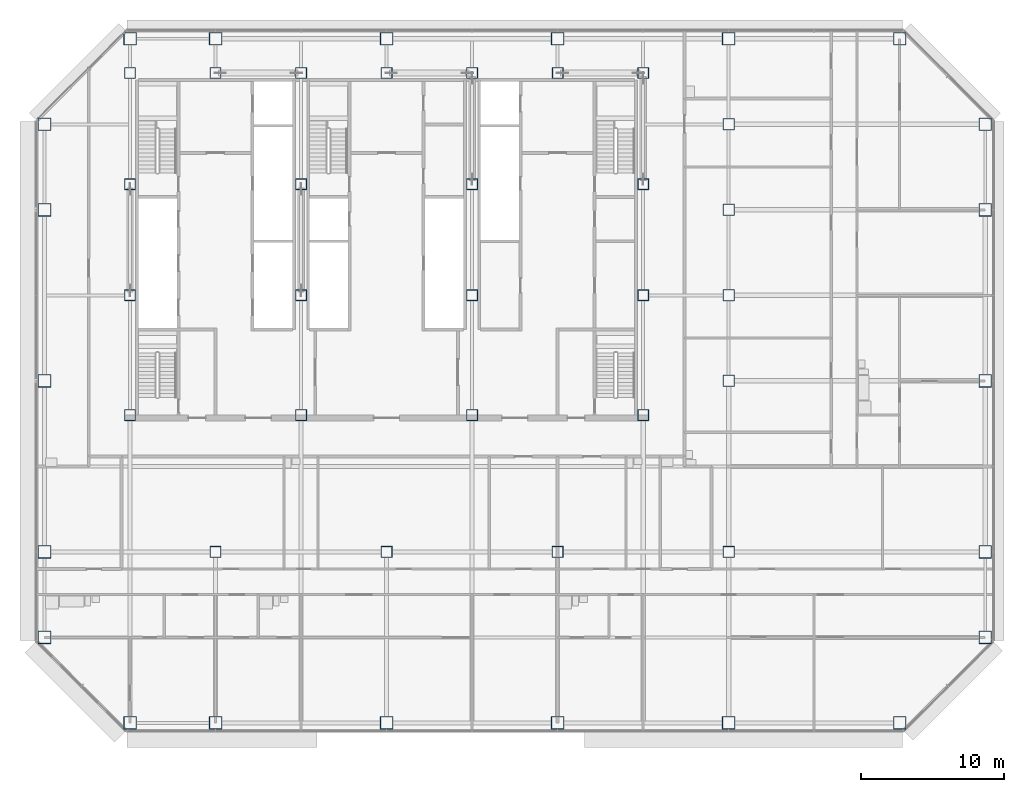
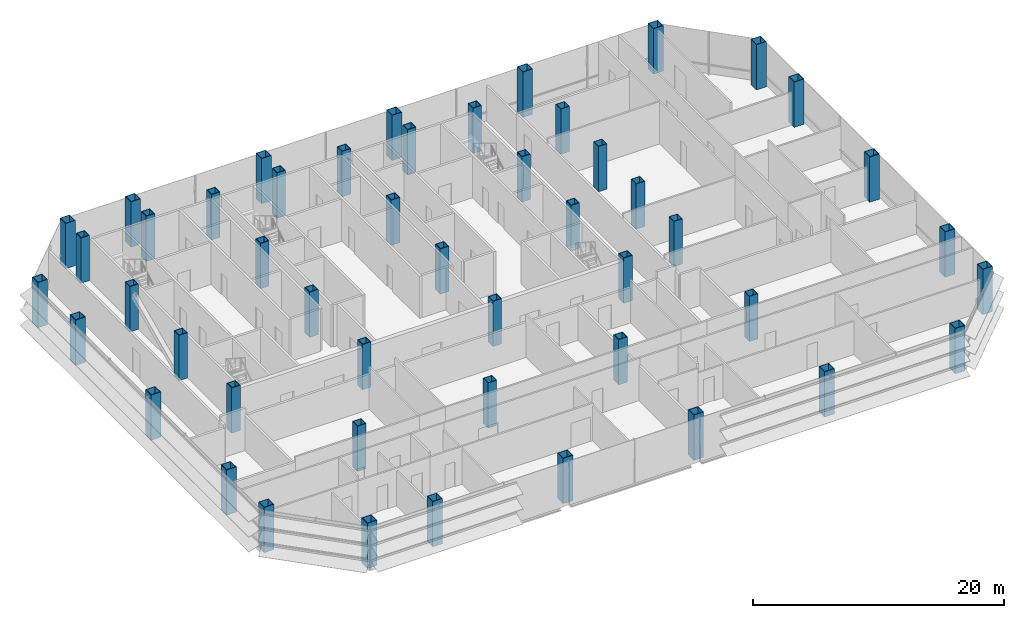
# One storey, part 1 of 27: 49 columns.
"""IFC4 building model written with IfcOpenShell, lengths in metres."""

from ifc_helpers import new_model, si_unit, direction, frame, origin, origin_2d, place, context, subcontext, project, spatial, hollow_rectangle, extrude, material, material_profile, profile_set, type_object, element, save


model = new_model("IFC4")

# Units and contexts
model_context = context("Model", 3, precision=1e-05, world=origin(), true_north=direction((0.0, 1.0)))
body_context = subcontext(model_context, "Body", "Model", "MODEL_VIEW")
ifc_project = project(units=[si_unit("LENGTHUNIT", "METRE"), si_unit("AREAUNIT", "SQUARE_METRE"), si_unit("VOLUMEUNIT", "CUBIC_METRE"), si_unit("PLANEANGLEUNIT", "RADIAN"), si_unit("MASSUNIT", "GRAM", prefix="KILO")], contexts=[model_context])

# Site, building, storey
site_placement = place(None, origin())
site = spatial("IfcSite", under=ifc_project, at=site_placement, CompositionType="ELEMENT")
building_placement = place(site_placement, origin())
building = spatial("IfcBuilding", under=site, at=building_placement, Name="Sorahane Residences", CompositionType="ELEMENT")
storey_placement = place(building_placement, frame((0.0, 0.0, 85.800048828125)))
storey = spatial("IfcBuildingStorey", under=building, at=storey_placement, Name="L18", CompositionType="ELEMENT", Elevation=85.800048828125)

# Columns
ifc_material_1 = material(Name="Steel Q355B", Category="steel")
ifc_material_profile_1 = material_profile(ifc_material_1, hollow_rectangle(XDim=0.800048828125, YDim=0.800048828125, WallThickness=0.0400390625, at=origin_2d()), Name="BOX 800x800x40")
ifc_profile_set_1 = profile_set([ifc_material_profile_1], Name="Steel Q355B")
column_type_1 = type_object("IfcColumnType", Name="Steel box column BOX 800x800x40 Q355B", PredefinedType="COLUMN", material=ifc_profile_set_1)
for number, where, z_axis, x_axis, name in (
    (1, (12.0, 12.0, 0.0), (0.0, 0.0, 1.0), (1.0, 0.0, 0.0), "Column L18 12/12"),
    (2, (24.0, 12.0, 0.0), (0.0, 0.0, 1.0), (1.0, 0.0, 0.0), "Column L18 24/12"),
    (3, (36.0, 12.0, 0.0), (0.0, 0.0, 1.0), (1.0, 0.0, 0.0), "Column L18 36/12"),
    (4, (48.0, 12.0, 0.0), (0.0, 0.0, 1.0), (1.0, 0.0, 0.0), "Column L18 48/12"),
    (5, (48.0, 24.0, 0.0), (0.0, 0.0, 1.0), (1.0, 0.0, 0.0), "Column L18 48/24"),
    (6, (48.0, 30.0, 0.0), (0.0, 0.0, 1.0), (1.0, 0.0, 0.0), "Column L18 48/30"),
    (7, (48.0, 36.0, 0.0), (0.0, 0.0, 1.0), (1.0, 0.0, 0.0), "Column L18 48/36"),
    (8, (48.0, 42.0, 0.0), (0.0, 0.0, 1.0), (1.0, 0.0, 0.0), "Column L18 48/42"),
):
    element("IfcColumn", number, at=place(storey_placement, frame(where, z_axis=z_axis, x_axis=x_axis)), inside=storey, type_object=column_type_1, Name=name, PredefinedType="COLUMN", context=body_context, shape_type="SweptSolid", body=[
        extrude(hollow_rectangle(XDim=0.800048828125, YDim=0.800048828125, WallThickness=0.0400390625, at=origin_2d()), origin(), (0.0, 0.0, 1.0), 4.39990234375),
    ])
ifc_material_2 = material(Name="Steel Q420GJ", Category="steel")
ifc_material_profile_2 = material_profile(ifc_material_2, hollow_rectangle(XDim=0.800048828125, YDim=0.800048828125, WallThickness=0.06005859375, at=origin_2d()), Name="BOX 800x800x60")
ifc_profile_set_2 = profile_set([ifc_material_profile_2], Name="Steel Q420GJ")
column_type_2 = type_object("IfcColumnType", Name="Steel box column BOX 800x800x60 Q420GJ", PredefinedType="COLUMN", material=ifc_profile_set_2)
for number, where, z_axis, x_axis, name in (
    (9, (6.0, 21.60009765625, 0.0), (0.0, 0.0, 1.0), (1.0, 0.0, 0.0), "Column L18 6/21.6"),
    (10, (6.0, 30.0, 0.0), (0.0, 0.0, 1.0), (1.0, 0.0, 0.0), "Column L18 6/30"),
    (11, (6.0, 37.800048828125, 0.0), (0.0, 0.0, 1.0), (1.0, 0.0, 0.0), "Column L18 6/37.8"),
    (12, (6.0, 45.60009765625, 0.0), (0.0, 0.0, 1.0), (1.0, 0.0, 0.0), "Column L18 6/45.6"),
    (13, (12.0, 45.60009765625, 0.0), (0.0, 0.0, 1.0), (1.0, 0.0, 0.0), "Column L18 12/45.6"),
    (14, (18.0, 21.60009765625, 0.0), (0.0, 0.0, 1.0), (1.0, 0.0, 0.0), "Column L18 18/21.6"),
    (15, (18.0, 30.0, 0.0), (0.0, 0.0, 1.0), (1.0, 0.0, 0.0), "Column L18 18/30"),
    (16, (18.0, 37.800048828125, 0.0), (0.0, 0.0, 1.0), (1.0, 0.0, 0.0), "Column L18 18/37.8"),
    (17, (18.0, 45.60009765625, 0.0), (0.0, 0.0, 1.0), (1.0, 0.0, 0.0), "Column L18 18/45.6"),
    (18, (24.0, 45.60009765625, 0.0), (0.0, 0.0, 1.0), (1.0, 0.0, 0.0), "Column L18 24/45.6"),
    (19, (30.0, 21.60009765625, 0.0), (0.0, 0.0, 1.0), (1.0, 0.0, 0.0), "Column L18 30/21.6"),
    (20, (30.0, 30.0, 0.0), (0.0, 0.0, 1.0), (1.0, 0.0, 0.0), "Column L18 30/30"),
    (21, (30.0, 37.800048828125, 0.0), (0.0, 0.0, 1.0), (1.0, 0.0, 0.0), "Column L18 30/37.8"),
    (22, (30.0, 45.60009765625, 0.0), (0.0, 0.0, 1.0), (1.0, 0.0, 0.0), "Column L18 30/45.6"),
    (23, (36.0, 45.60009765625, 0.0), (0.0, 0.0, 1.0), (1.0, 0.0, 0.0), "Column L18 36/45.6"),
    (24, (42.0, 21.60009765625, 0.0), (0.0, 0.0, 1.0), (1.0, 0.0, 0.0), "Column L18 42/21.6"),
    (25, (42.0, 30.0, 0.0), (0.0, 0.0, 1.0), (1.0, 0.0, 0.0), "Column L18 42/30"),
    (26, (42.0, 37.800048828125, 0.0), (0.0, 0.0, 1.0), (1.0, 0.0, 0.0), "Column L18 42/37.8"),
    (27, (42.0, 45.60009765625, 0.0), (0.0, 0.0, 1.0), (1.0, 0.0, 0.0), "Column L18 42/45.6"),
):
    element("IfcColumn", number, at=place(storey_placement, frame(where, z_axis=z_axis, x_axis=x_axis)), inside=storey, type_object=column_type_2, Name=name, PredefinedType="COLUMN", context=body_context, shape_type="SweptSolid", body=[
        extrude(hollow_rectangle(XDim=0.800048828125, YDim=0.800048828125, WallThickness=0.06005859375, at=origin_2d()), origin(), (0.0, 0.0, 1.0), 4.39990234375),
    ])
ifc_material_3 = material(Name="Steel Q420GJ", Category="steel")
ifc_material_profile_3 = material_profile(ifc_material_3, hollow_rectangle(XDim=0.89990234375, YDim=0.89990234375, WallThickness=0.044921875, at=origin_2d()), Name="BOX 900x900x45")
ifc_profile_set_3 = profile_set([ifc_material_profile_3], Name="Steel Q420GJ")
column_type_3 = type_object("IfcColumnType", Name="Steel box column BOX 900x900x45 Q420GJ", PredefinedType="COLUMN", material=ifc_profile_set_3)
for number, where, z_axis, x_axis, name in (
    (28, (0.0, 6.0, 0.0), (0.0, 0.0, 1.0), (1.0, 0.0, 0.0), "Column L18 m0/6"),
    (29, (0.0, 12.0, 0.0), (0.0, 0.0, 1.0), (1.0, 0.0, 0.0), "Column L18 m0/12"),
    (30, (0.0, 24.0, 0.0), (0.0, 0.0, 1.0), (1.0, 0.0, 0.0), "Column L18 m0/24"),
    (31, (0.0, 36.0, 0.0), (0.0, 0.0, 1.0), (1.0, 0.0, 0.0), "Column L18 m0/36"),
    (32, (0.0, 42.0, 0.0), (0.0, 0.0, 1.0), (1.0, 0.0, 0.0), "Column L18 m0/42"),
    (33, (6.0, 0.0, 0.0), (0.0, 0.0, 1.0), (1.0, 0.0, 0.0), "Column L18 6/0"),
    (34, (6.0, 48.0, 0.0), (0.0, 0.0, 1.0), (1.0, 0.0, 0.0), "Column L18 6/48"),
    (35, (12.0, 0.0, 0.0), (0.0, 0.0, 1.0), (1.0, 0.0, 0.0), "Column L18 12/0"),
    (36, (12.0, 48.0, 0.0), (0.0, 0.0, 1.0), (1.0, 0.0, 0.0), "Column L18 12/48"),
    (37, (24.0, 0.0, 0.0), (0.0, 0.0, 1.0), (1.0, 0.0, 0.0), "Column L18 24/0"),
    (38, (24.0, 48.0, 0.0), (0.0, 0.0, 1.0), (1.0, 0.0, 0.0), "Column L18 24/48"),
    (39, (36.0, 0.0, 0.0), (0.0, 0.0, 1.0), (1.0, 0.0, 0.0), "Column L18 36/0"),
    (40, (36.0, 48.0, 0.0), (0.0, 0.0, 1.0), (1.0, 0.0, 0.0), "Column L18 36/48"),
    (41, (48.0, 0.0, 0.0), (0.0, 0.0, 1.0), (1.0, 0.0, 0.0), "Column L18 48/0"),
    (42, (48.0, 48.0, 0.0), (0.0, 0.0, 1.0), (1.0, 0.0, 0.0), "Column L18 48/48"),
    (43, (60.0, 0.0, 0.0), (0.0, 0.0, 1.0), (1.0, 0.0, 0.0), "Column L18 60/0"),
    (44, (60.0, 48.0, 0.0), (0.0, 0.0, 1.0), (1.0, 0.0, 0.0), "Column L18 60/48"),
    (45, (66.0, 6.0, 0.0), (0.0, 0.0, 1.0), (1.0, 0.0, 0.0), "Column L18 66/6"),
    (46, (66.0, 12.0, 0.0), (0.0, 0.0, 1.0), (1.0, 0.0, 0.0), "Column L18 66/12"),
    (47, (66.0, 24.0, 0.0), (0.0, 0.0, 1.0), (1.0, 0.0, 0.0), "Column L18 66/24"),
    (48, (66.0, 36.0, 0.0), (0.0, 0.0, 1.0), (1.0, 0.0, 0.0), "Column L18 66/36"),
    (49, (66.0, 42.0, 0.0), (0.0, 0.0, 1.0), (1.0, 0.0, 0.0), "Column L18 66/42"),
):
    element("IfcColumn", number, at=place(storey_placement, frame(where, z_axis=z_axis, x_axis=x_axis)), inside=storey, type_object=column_type_3, Name=name, PredefinedType="COLUMN", context=body_context, shape_type="SweptSolid", body=[
        extrude(hollow_rectangle(XDim=0.89990234375, YDim=0.89990234375, WallThickness=0.044921875, at=origin_2d()), origin(), (0.0, 0.0, 1.0), 4.39990234375),
    ])

save(model, "model.ifc")
